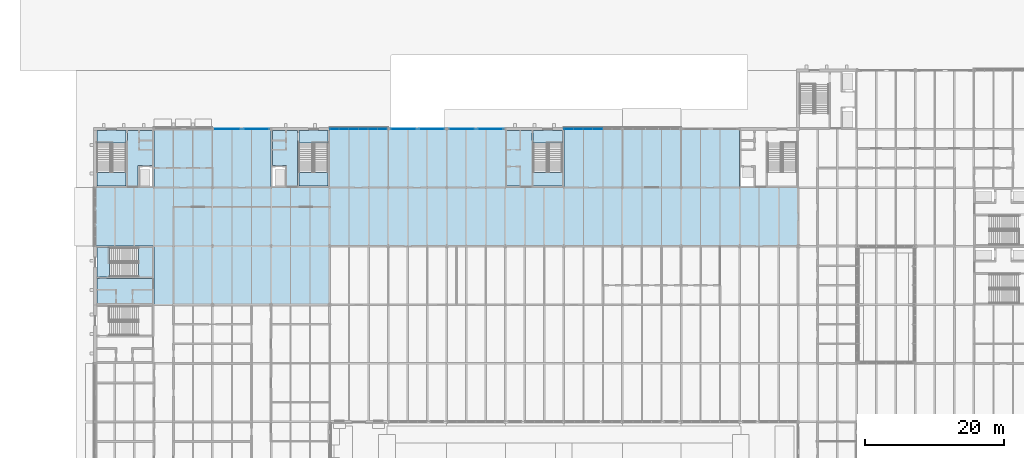
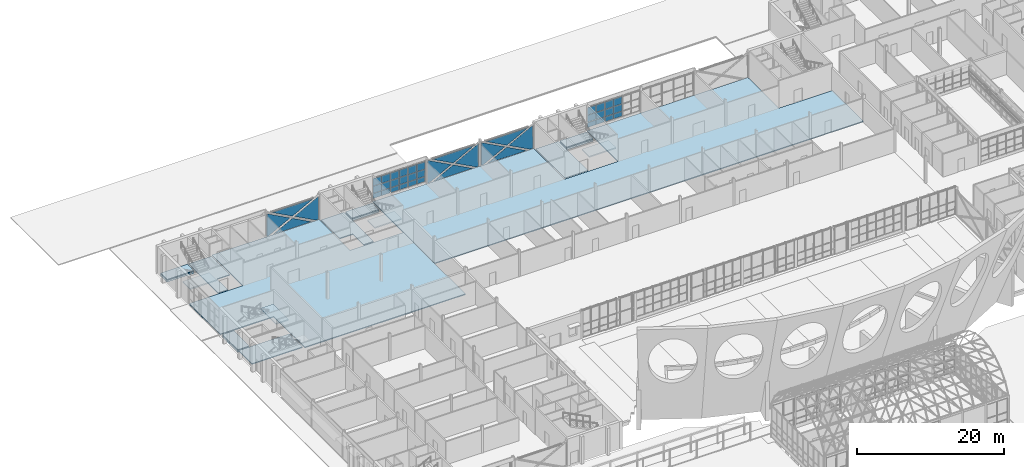
# One storey, part 78 of 116: 42 plates, 18 slabs, 9 elements without a shape of their own.
"""IFC4 building model written with IfcOpenShell, lengths in metres."""

import ifcopenshell
import ifcopenshell.guid

model = None  # the IFC model being written
_history = None  # IfcOwnerHistory: only IFC2X3 demands one
_inside = {}  # id of a spatial element -> (the spatial element, [elements in it])
_under = {}  # id of a project, library or spatial element -> (it, [spatial elements below it])
_declared = {}  # id of a project -> (the project, [libraries it declares])
_typed = {}  # id of a type object -> (the type object, [elements of that type])
_made_of = {}  # id of a material, layer set ... -> (it, [elements and type objects made of it])


def new_model(schema):
    """Start an empty IFC model of exactly this schema.

    Asked for "IFC4X3", IfcOpenShell would pick the latest addendum, in which some entities
    have other attributes; the version numbers below select the first issue.
    IFC2X3 requires an IfcOwnerHistory on every rooted entity: one is made here for all.
    """
    global model, _history
    if schema == "IFC4X3":
        model = ifcopenshell.file(schema_version=(4, 3, 0, 0))
    else:
        model = ifcopenshell.file(schema=schema)
    _inside.clear()
    _under.clear()
    _declared.clear()
    _typed.clear()
    _made_of.clear()
    _history = None
    if model.schema == "IFC2X3":
        org = make("IfcOrganization", Name="unknown")
        user = make(
            "IfcPersonAndOrganization",
            ThePerson=make("IfcPerson", FamilyName="unknown"),
            TheOrganization=org,
        )
        app = make(
            "IfcApplication",
            ApplicationDeveloper=org,
            Version="unknown",
            ApplicationFullName="unknown",
            ApplicationIdentifier="unknown",
        )
        _history = make(
            "IfcOwnerHistory",
            OwningUser=user,
            OwningApplication=app,
            ChangeAction="ADDED",
            CreationDate=0,
        )
    return model


def make(cls, **values):
    """One entity of the class cls with the attributes given. An attribute that is None is left unset."""
    return model.create_entity(
        cls, **{name: value for name, value in values.items() if value is not None}
    )


def rooted(cls, **values):
    """An entity with a GlobalId (a new one), such as an element, a storey or a relation."""
    return make(cls, GlobalId=ifcopenshell.guid.new(), OwnerHistory=_history, **values)


def si_unit(unit_type, name, prefix=None):
    """IfcSIUnit, for example si_unit("LENGTHUNIT", "METRE", prefix="MILLI")."""
    return make("IfcSIUnit", UnitType=unit_type, Prefix=prefix, Name=name)


def assignment(units):
    """IfcUnitAssignment: the units of a project."""
    return None if units is None else make("IfcUnitAssignment", Units=units)


def point(xyz):
    """IfcCartesianPoint."""
    return None if xyz is None else make("IfcCartesianPoint", Coordinates=xyz)


def direction(xyz):
    """IfcDirection."""
    return None if xyz is None else make("IfcDirection", DirectionRatios=xyz)


def frame(location, z_axis=None, x_axis=None):
    """IfcAxis2Placement3D, a coordinate frame: its origin and axes. An axis left out is left unset."""
    return make(
        "IfcAxis2Placement3D",
        Location=point(location),
        Axis=direction(z_axis),
        RefDirection=direction(x_axis),
    )


def frame_2d(location, x_axis=None):
    """IfcAxis2Placement2D, a coordinate frame in the plane: its origin and x axis."""
    return make(
        "IfcAxis2Placement2D", Location=point(location), RefDirection=direction(x_axis)
    )


def origin():
    """The frame at (0, 0, 0) with its axes left unset."""
    return frame((0.0, 0.0, 0.0))


def origin_2d():
    """The frame at (0, 0) in the plane with its x axis left unset."""
    return frame_2d((0.0, 0.0))


def place(relative_to, where):
    """IfcLocalPlacement: puts the frame where relative to a parent placement (None: the world)."""
    return make(
        "IfcLocalPlacement", PlacementRelTo=relative_to, RelativePlacement=where
    )


def context(
    kind, dimensions, precision=None, world=None, true_north=None, identifier=None
):
    """IfcGeometricRepresentationContext, for example the 3D "Model" context."""
    return make(
        "IfcGeometricRepresentationContext",
        ContextIdentifier=identifier,
        ContextType=kind,
        CoordinateSpaceDimension=dimensions,
        Precision=precision,
        WorldCoordinateSystem=world,
        TrueNorth=true_north,
    )


def subcontext(parent, identifier, kind, view, scale=None):
    """IfcGeometricRepresentationSubContext, for example "Body" below "Model"."""
    return make(
        "IfcGeometricRepresentationSubContext",
        ContextIdentifier=identifier,
        ContextType=kind,
        ParentContext=parent,
        TargetScale=scale,
        TargetView=view,
    )


def project(units=None, contexts=None):
    """IfcProject with its units and contexts."""
    return rooted(
        "IfcProject",
        Name="project",
        RepresentationContexts=contexts,
        UnitsInContext=assignment(units),
    )


def spatial(cls, under=None, at=None, **own):
    """A site, building, storey or space (cls), placed at a placement, below another one or the project."""
    s = rooted(cls, ObjectPlacement=at, **own)
    if under is not None:
        _under.setdefault(under.id(), (under, []))[1].append(s)
    return s


def polyline(points):
    """IfcPolyline through the points."""
    return make("IfcPolyline", Points=[point(p) for p in points])


def profile(cls, at=None, kind="AREA", **sizes):
    """A parametric profile (cls). Its sizes go by their IFC names, for example OverallWidth=200.0."""
    return make(cls, ProfileType=kind, Position=at, **sizes)


def rectangle(**sizes):
    """IfcRectangleProfileDef."""
    return profile("IfcRectangleProfileDef", **sizes)


def outline(outer, holes=None, kind="AREA"):
    """IfcArbitraryClosedProfileDef: a profile drawn as a closed curve; with holes, ...WithVoids."""
    if holes is None:
        return make("IfcArbitraryClosedProfileDef", ProfileType=kind, OuterCurve=outer)
    return make(
        "IfcArbitraryProfileDefWithVoids",
        ProfileType=kind,
        OuterCurve=outer,
        InnerCurves=holes,
    )


def extrude(swept, where, along, depth):
    """IfcExtrudedAreaSolid: the profile swept, set in the frame where, extruded along a direction by depth."""
    return make(
        "IfcExtrudedAreaSolid",
        SweptArea=swept,
        Position=where,
        ExtrudedDirection=direction(along),
        Depth=depth,
    )


def shape(context_of_items, identifier, shape_type, items):
    """IfcShapeRepresentation: the items that make up one representation, for example the "Body"."""
    return make(
        "IfcShapeRepresentation",
        ContextOfItems=context_of_items,
        RepresentationIdentifier=identifier,
        RepresentationType=shape_type,
        Items=items,
    )


def material(Name=None, Category=None):
    """IfcMaterial."""
    return make("IfcMaterial", Name=Name, Category=Category)


def layer(
    of_material, thickness, ventilated=None, Name=None, Category=None, Priority=None
):
    """IfcMaterialLayer: one layer of a wall or slab, of a material (None: an air gap)."""
    return make(
        "IfcMaterialLayer",
        Material=of_material,
        LayerThickness=thickness,
        IsVentilated=ventilated,
        Name=Name,
        Category=Category,
        Priority=Priority,
    )


def layer_set(layers, Name=None):
    """IfcMaterialLayerSet."""
    return make("IfcMaterialLayerSet", MaterialLayers=layers, LayerSetName=Name)


def made_of(thing, what):
    """Note that an element or type object is made of a material, layer set ...; save() writes the relation."""
    if what is not None:
        _made_of.setdefault(what.id(), (what, []))[1].append(thing)
    return thing


def type_object(cls, material=None, **own):
    """A type object (cls), such as IfcWallType, which elements share."""
    return made_of(rooted(cls, **own), material)


def element(
    cls,
    number,
    at=None,
    inside=None,
    cuts=None,
    type_object=None,
    material=None,
    context=None,
    identifier="Body",
    shape_type=None,
    held_by="IfcProductDefinitionShape",
    body=None,
    shapes=None,
    **own,
):
    """One element of the class cls, such as IfcWall. Its Tag is "e" and its number.

    at: its placement. inside: the storey or other place that contains it. cuts: it is an
    opening in that element (IfcRelVoidsElement). A single representation is given by context,
    identifier, shape_type and body (its items); several are given by shapes. held_by: the class
    of the entity that holds the representations. save() writes the other relations.
    """
    e = rooted(cls, Tag="e%d" % number, ObjectPlacement=at, **own)
    if body is not None:
        shapes = [shape(context, identifier, shape_type, body)]
    if shapes is not None:
        e.Representation = make(held_by, Representations=shapes)
    if inside is not None:
        _inside.setdefault(inside.id(), (inside, []))[1].append(e)
    if cuts is not None:
        rooted(
            "IfcRelVoidsElement", RelatingBuildingElement=cuts, RelatedOpeningElement=e
        )
    if type_object is not None:
        _typed.setdefault(type_object.id(), (type_object, []))[1].append(e)
    return made_of(e, material)


def aggregate(whole, parts):
    """IfcRelAggregates: a whole, such as a stair, and the parts it consists of."""
    return rooted("IfcRelAggregates", RelatingObject=whole, RelatedObjects=parts)


def save(model, path):
    """Write the relations noted so far, then the file.

    IfcRelAggregates (storeys below a building ...), IfcRelContainedInSpatialStructure (elements
    in a storey), IfcRelDefinesByType, IfcRelAssociatesMaterial and IfcRelDeclares: one each for
    every whole, place, type object, material and project.
    """
    for whole, parts in _under.values():
        aggregate(whole, parts)
    for where, things in _inside.values():
        rooted(
            "IfcRelContainedInSpatialStructure",
            RelatedElements=things,
            RelatingStructure=where,
        )
    for kind, things in _typed.values():
        rooted("IfcRelDefinesByType", RelatedObjects=things, RelatingType=kind)
    for what, things in _made_of.values():
        rooted("IfcRelAssociatesMaterial", RelatedObjects=things, RelatingMaterial=what)
    for by, libraries in _declared.values():
        rooted("IfcRelDeclares", RelatingContext=by, RelatedDefinitions=libraries)
    model.write(path)


model = new_model("IFC4")

# Units and contexts
model_context = context("Model", 3, precision=1e-05, world=origin(), true_north=direction((0.0, 1.0)))
body_context = subcontext(model_context, "Body", "Model", "MODEL_VIEW")
ifc_project = project(units=[si_unit("LENGTHUNIT", "METRE"), si_unit("AREAUNIT", "SQUARE_METRE"), si_unit("VOLUMEUNIT", "CUBIC_METRE"), si_unit("PLANEANGLEUNIT", "RADIAN"), si_unit("MASSUNIT", "GRAM", prefix="KILO")], contexts=[model_context])

# Site, building, storey
site_placement = place(None, origin())
site = spatial("IfcSite", under=ifc_project, at=site_placement, CompositionType="ELEMENT")
building_placement = place(site_placement, origin())
building = spatial("IfcBuilding", under=site, at=building_placement, Name="Ardhachandra Cancer Care Centre", CompositionType="ELEMENT")
storey_placement = place(building_placement, origin())
storey = spatial("IfcBuildingStorey", under=building, at=storey_placement, Name="L00", CompositionType="ELEMENT", Elevation=0.0)

# Slabs
ifc_material_1 = material(Name="Composite slab Concrete M30 on steel deck", Category="concrete")
ifc_layer_1 = layer(ifc_material_1, 0.14990234375)
ifc_layer_set_1 = layer_set([ifc_layer_1], Name="Composite slab Concrete M30 on steel deck")
slab_type_1 = type_object("IfcSlabType", Name="Composite floor slab 150", PredefinedType="FLOOR", material=ifc_layer_set_1)
slab_1_placement = place(storey_placement, frame((0.0, 0.0, -0.14990234375)))
element("IfcSlab", 1, at=slab_1_placement, inside=storey, type_object=slab_type_1, Name="Floor slab V1-strip", PredefinedType="FLOOR", context=body_context, shape_type="SweptSolid", body=[
    extrude(outline(polyline([(111.60009765625, 88.199951171875), (103.199951171875, 88.199951171875), (103.199951171875, 96.60009765625), (78.0, 96.60009765625), (78.0, 88.199951171875), (69.60009765625, 88.199951171875), (69.60009765625, 96.60009765625), (44.39990234375, 96.60009765625), (44.39990234375, 88.199951171875), (44.39990234375, 79.800048828125), (111.60009765625, 79.800048828125), (111.60009765625, 88.199951171875)])), origin(), (0.0, 0.0, 1.0), 0.14990234375),
])
slab_2_placement = place(storey_placement, frame((0.0, 0.0, -0.14990234375)))
element("IfcSlab", 2, at=slab_2_placement, inside=storey, type_object=slab_type_1, Name="Floor slab V6", PredefinedType="FLOOR", context=body_context, shape_type="SweptSolid", body=[
    extrude(outline(polyline([(44.39990234375, 88.199951171875), (36.0, 88.199951171875), (36.0, 96.60009765625), (19.199951171875, 96.60009765625), (19.199951171875, 88.199951171875), (10.800048828125, 88.199951171875), (10.800048828125, 79.800048828125), (19.199951171875, 79.800048828125), (19.199951171875, 71.39990234375), (44.39990234375, 71.39990234375), (44.39990234375, 88.199951171875)])), origin(), (0.0, 0.0, 1.0), 0.14990234375),
])
ifc_material_2 = material(Name="Concrete M40", Category="concrete")
ifc_layer_2 = layer(ifc_material_2, 0.14990234375)
ifc_layer_set_2 = layer_set([ifc_layer_2], Name="Concrete M40")
slab_type_2 = type_object("IfcSlabType", Name="Core floor slab 150", PredefinedType="FLOOR", material=ifc_layer_set_2)
slab_3_placement = place(storey_placement, frame((0.0, 0.0, -0.14990234375)))
element("IfcSlab", 3, at=slab_3_placement, inside=storey, type_object=slab_type_2, Name="Core floor slab K4 L00 1", PredefinedType="FLOOR", context=body_context, shape_type="SweptSolid", body=[
    extrude(outline(polyline([(15.22509765625, 96.375), (15.22509765625, 94.60009765625), (11.02490234375, 94.60009765625), (11.02490234375, 96.375), (15.22509765625, 96.375)])), origin(), (0.0, 0.0, 1.0), 0.14990234375),
])
slab_4_placement = place(storey_placement, frame((0.0, 0.0, -0.14990234375)))
element("IfcSlab", 4, at=slab_4_placement, inside=storey, type_object=slab_type_2, Name="Core floor slab K4 L00 2", PredefinedType="FLOOR", context=body_context, shape_type="SweptSolid", body=[
    extrude(outline(polyline([(19.0, 91.35009765625), (17.14990234375, 91.35009765625), (16.949951171875, 91.35009765625), (16.949951171875, 88.39990234375), (15.425048828125, 88.39990234375), (15.425048828125, 96.375), (19.0, 96.375), (19.0, 91.35009765625)])), origin(), (0.0, 0.0, 1.0), 0.14990234375),
])
slab_5_placement = place(storey_placement, frame((0.0, 0.0, -0.14990234375)))
element("IfcSlab", 5, at=slab_5_placement, inside=storey, type_object=slab_type_2, Name="Core floor slab K5 L00 1", PredefinedType="FLOOR", context=body_context, shape_type="SweptSolid", body=[
    extrude(outline(polyline([(44.199951171875, 94.60009765625), (40.0, 94.60009765625), (40.0, 96.375), (44.199951171875, 96.375), (44.199951171875, 94.60009765625)])), origin(), (0.0, 0.0, 1.0), 0.14990234375),
])
slab_6_placement = place(storey_placement, frame((0.0, 0.0, -0.14990234375)))
element("IfcSlab", 6, at=slab_6_placement, inside=storey, type_object=slab_type_2, Name="Core floor slab K5 L00 2", PredefinedType="FLOOR", context=body_context, shape_type="SweptSolid", body=[
    extrude(outline(polyline([(39.800048828125, 96.375), (39.800048828125, 88.39990234375), (38.25, 88.39990234375), (38.25, 91.35009765625), (38.050048828125, 91.35009765625), (36.199951171875, 91.35009765625), (36.199951171875, 96.375), (39.800048828125, 96.375)])), origin(), (0.0, 0.0, 1.0), 0.14990234375),
])
slab_7_placement = place(storey_placement, frame((0.0, 0.0, -0.14990234375)))
element("IfcSlab", 7, at=slab_7_placement, inside=storey, type_object=slab_type_2, Name="Core floor slab K6 L00 1", PredefinedType="FLOOR", context=body_context, shape_type="SweptSolid", body=[
    extrude(outline(polyline([(12.800048828125, 79.60009765625), (12.800048828125, 75.39990234375), (11.02490234375, 75.39990234375), (11.02490234375, 79.60009765625), (12.800048828125, 79.60009765625)])), origin(), (0.0, 0.0, 1.0), 0.14990234375),
])
slab_8_placement = place(storey_placement, frame((0.0, 0.0, -0.14990234375)))
element("IfcSlab", 8, at=slab_8_placement, inside=storey, type_object=slab_type_2, Name="Core floor slab K6 L00 2", PredefinedType="FLOOR", context=body_context, shape_type="SweptSolid", body=[
    extrude(outline(polyline([(11.02490234375, 75.199951171875), (19.0, 75.199951171875), (19.0, 71.60009765625), (11.02490234375, 71.60009765625), (11.02490234375, 75.199951171875)])), origin(), (0.0, 0.0, 1.0), 0.14990234375),
])
slab_9_placement = place(storey_placement, frame((0.0, 0.0, -0.14990234375)))
element("IfcSlab", 9, at=slab_9_placement, inside=storey, type_object=slab_type_2, Name="Core floor slab K8 L00 1", PredefinedType="FLOOR", context=body_context, shape_type="SweptSolid", body=[
    extrude(outline(polyline([(77.800048828125, 94.60009765625), (73.60009765625, 94.60009765625), (73.60009765625, 96.375), (77.800048828125, 96.375), (77.800048828125, 94.60009765625)])), origin(), (0.0, 0.0, 1.0), 0.14990234375),
])
slab_10_placement = place(storey_placement, frame((0.0, 0.0, -0.14990234375)))
element("IfcSlab", 10, at=slab_10_placement, inside=storey, type_object=slab_type_2, Name="Core floor slab K8 L00 2", PredefinedType="FLOOR", context=body_context, shape_type="SweptSolid", body=[
    extrude(outline(polyline([(73.39990234375, 96.375), (73.39990234375, 88.39990234375), (69.800048828125, 88.39990234375), (69.800048828125, 96.375), (73.39990234375, 96.375)])), origin(), (0.0, 0.0, 1.0), 0.14990234375),
])
ifc_material_3 = material(Name="Concrete M40", Category="concrete")
ifc_layer_3 = layer(ifc_material_3, 0.300048828125)
ifc_layer_set_3 = layer_set([ifc_layer_3], Name="Concrete M40")
slab_type_3 = type_object("IfcSlabType", Name="Core stair edge slab 300", PredefinedType="FLOOR", material=ifc_layer_set_3)
slab_11_placement = place(storey_placement, frame((0.0, 0.0, -0.449951171875)))
element("IfcSlab", 11, at=slab_11_placement, inside=storey, type_object=slab_type_3, Name="Core stair edge slab K4 L00", PredefinedType="FLOOR", context=body_context, shape_type="SweptSolid", body=[
    extrude(outline(polyline([(11.02490234375, 96.375), (15.22509765625, 96.375), (15.22509765625, 94.60009765625), (11.02490234375, 94.60009765625), (11.02490234375, 96.375)])), origin(), (0.0, 0.0, 1.0), 0.300048828125),
])
slab_12_placement = place(storey_placement, frame((0.0, 0.0, -0.449951171875)))
element("IfcSlab", 12, at=slab_12_placement, inside=storey, type_object=slab_type_3, Name="Core stair edge slab K5 L00", PredefinedType="FLOOR", context=body_context, shape_type="SweptSolid", body=[
    extrude(outline(polyline([(40.0, 94.60009765625), (40.0, 96.375), (44.199951171875, 96.375), (44.199951171875, 94.60009765625), (40.0, 94.60009765625)])), origin(), (0.0, 0.0, 1.0), 0.300048828125),
])
slab_13_placement = place(storey_placement, frame((0.0, 0.0, -0.449951171875)))
element("IfcSlab", 13, at=slab_13_placement, inside=storey, type_object=slab_type_3, Name="Core stair edge slab K6 L00", PredefinedType="FLOOR", context=body_context, shape_type="SweptSolid", body=[
    extrude(outline(polyline([(12.800048828125, 75.39990234375), (11.02490234375, 75.39990234375), (11.02490234375, 79.60009765625), (12.800048828125, 79.60009765625), (12.800048828125, 75.39990234375)])), origin(), (0.0, 0.0, 1.0), 0.300048828125),
])
slab_14_placement = place(storey_placement, frame((0.0, 0.0, -0.449951171875)))
element("IfcSlab", 14, at=slab_14_placement, inside=storey, type_object=slab_type_3, Name="Core stair edge slab K8 L00", PredefinedType="FLOOR", context=body_context, shape_type="SweptSolid", body=[
    extrude(outline(polyline([(73.60009765625, 94.60009765625), (73.60009765625, 96.375), (77.800048828125, 96.375), (77.800048828125, 94.60009765625), (73.60009765625, 94.60009765625)])), origin(), (0.0, 0.0, 1.0), 0.300048828125),
])

# Curtain wall, plates
ifc_material_4 = material(Name="Aluminium extrusion", Category="aluminium")
ifc_layer_4 = layer(ifc_material_4, 0.14990234375)
ifc_layer_set_4 = layer_set([ifc_layer_4], Name="Aluminium extrusion")
curtain_wall_type = type_object("IfcCurtainWallType", Name="Curtain wall run", PredefinedType="NOTDEFINED", material=ifc_layer_set_4)
curtain_wall_1_placement = place(storey_placement, origin())
curtain_wall_1 = element("IfcCurtainWall", 15, at=curtain_wall_1_placement, inside=storey, type_object=curtain_wall_type, Name="Curtain wall L00 n/0027600_0096600", PredefinedType="NOTDEFINED")
ifc_material_5 = material(Name="Low-iron double-glazed unit")
ifc_layer_5 = layer(ifc_material_5, 0.028076171875)
ifc_layer_set_5 = layer_set([ifc_layer_5], Name="Low-iron double-glazed unit")
plate_type_1 = type_object("IfcPlateType", Name="Curtain wall glazing 28", PredefinedType="CURTAIN_PANEL", material=ifc_layer_set_5)
plate_1_placement = place(storey_placement, frame((35.93994140625, 96.60009765625, 3.7900390625), z_axis=(0.0, 1.0, 0.0), x_axis=(0.0, 0.0, -1.0)))
plate_1 = element("IfcPlate", 16, at=plate_1_placement, type_object=plate_type_1, Name="CW panel 1.1", PredefinedType="CURTAIN_PANEL", context=body_context, shape_type="SweptSolid", body=[
    extrude(outline(polyline([(0.0, 0.0), (3.72998046875, 0.0), (3.72998046875, 0.45361328125), (1.93994140625, 3.794921875), (0.0, 0.173583984375), (0.0, 0.0)])), origin(), (0.0, 0.0, 1.0), 0.028076171875),
])
plate_2_placement = place(storey_placement, frame((35.076171875, 96.60009765625, 3.7900390625), z_axis=(0.0, 1.0, 0.0), x_axis=(-0.881473134172, 0.0, -0.472234172559)))
plate_2 = element("IfcPlate", 17, at=plate_2_placement, type_object=plate_type_1, Name="CW panel 1.1", PredefinedType="CURTAIN_PANEL", context=body_context, shape_type="SweptSolid", body=[
    extrude(outline(polyline([(0.0, 0.0), (3.716552734375, 0.0), (5.77587890625, 3.09423828125), (0.0, 0.0)])), frame((0.0, 0.0, -0.028076171875)), (0.0, 0.0, 1.0), 0.028076171875),
])
plate_3_placement = place(storey_placement, frame((27.81005859375, 96.60009765625, 0.06005859375), z_axis=(0.0, 1.0, 0.0), x_axis=(0.0, 0.0, 1.0)))
plate_3 = element("IfcPlate", 18, at=plate_3_placement, type_object=plate_type_1, Name="CW panel 1.1", PredefinedType="CURTAIN_PANEL", context=body_context, shape_type="SweptSolid", body=[
    extrude(outline(polyline([(0.0, 0.0), (3.72998046875, 0.0), (3.72998046875, 0.0234375), (1.7900390625, 3.644775390625), (0.0, 0.303466796875), (0.0, 0.0)])), origin(), (0.0, 0.0, 1.0), 0.028076171875),
])
plate_4_placement = place(storey_placement, frame((28.8037109375, 96.60009765625, 0.06005859375), z_axis=(0.0, 1.0, 0.0), x_axis=(0.881504527331, 0.0, 0.472175569354)))
plate_4 = element("IfcPlate", 19, at=plate_4_placement, type_object=plate_type_1, Name="CW panel 1.1", PredefinedType="CURTAIN_PANEL", context=body_context, shape_type="SweptSolid", body=[
    extrude(outline(polyline([(0.0, 0.0), (3.399169921875, 0.0), (5.282470703125, 2.82958984375), (0.0, 0.0)])), frame((0.0, 0.0, -0.028076171875)), (0.0, 0.0, 1.0), 0.028076171875),
])
aggregate(curtain_wall_1, [plate_1, plate_2, plate_3, plate_4])

curtain_wall_2_placement = place(storey_placement, origin())
curtain_wall_2 = element("IfcCurtainWall", 20, at=curtain_wall_2_placement, inside=storey, type_object=curtain_wall_type, Name="Curtain wall L00 n/0044400_0096600", PredefinedType="NOTDEFINED")
plate_5_placement = place(storey_placement, frame((45.1025390625, 96.60009765625, 1.3798828125), z_axis=(0.0, 0.0, 1.0), x_axis=(1.0, 0.0, 0.0)))
plate_5 = element("IfcPlate", 21, at=plate_5_placement, type_object=plate_type_1, Name="CW panel 1.2", PredefinedType="CURTAIN_PANEL", context=body_context, shape_type="SweptSolid", body=[
    extrude(rectangle(XDim=1.284912109375, YDim=0.028076171875, at=origin_2d()), origin(), (0.0, 0.0, 1.0), 1.139892578125),
])
plate_6_placement = place(storey_placement, frame((45.1025390625, 96.60009765625, 2.580078125), z_axis=(0.0, 0.0, 1.0), x_axis=(1.0, 0.0, 0.0)))
plate_6 = element("IfcPlate", 22, at=plate_6_placement, type_object=plate_type_1, Name="CW panel 1.3", PredefinedType="CURTAIN_PANEL", context=body_context, shape_type="SweptSolid", body=[
    extrude(rectangle(XDim=1.284912109375, YDim=0.028076171875, at=origin_2d()), origin(), (0.0, 0.0, 1.0), 1.2099609375),
])
plate_7_placement = place(storey_placement, frame((46.46240234375, 96.60009765625, 1.3798828125), z_axis=(0.0, 0.0, 1.0), x_axis=(1.0, 0.0, 0.0)))
plate_7 = element("IfcPlate", 23, at=plate_7_placement, type_object=plate_type_1, Name="CW panel 2.2", PredefinedType="CURTAIN_PANEL", context=body_context, shape_type="SweptSolid", body=[
    extrude(rectangle(XDim=1.31494140625, YDim=0.028076171875, at=origin_2d()), origin(), (0.0, 0.0, 1.0), 1.139892578125),
])
plate_8_placement = place(storey_placement, frame((46.46240234375, 96.60009765625, 2.580078125), z_axis=(0.0, 0.0, 1.0), x_axis=(1.0, 0.0, 0.0)))
plate_8 = element("IfcPlate", 24, at=plate_8_placement, type_object=plate_type_1, Name="CW panel 2.3", PredefinedType="CURTAIN_PANEL", context=body_context, shape_type="SweptSolid", body=[
    extrude(rectangle(XDim=1.31494140625, YDim=0.028076171875, at=origin_2d()), origin(), (0.0, 0.0, 1.0), 1.2099609375),
])
plate_9_placement = place(storey_placement, frame((47.83740234375, 96.60009765625, 1.3798828125), z_axis=(0.0, 0.0, 1.0), x_axis=(1.0, 0.0, 0.0)))
plate_9 = element("IfcPlate", 25, at=plate_9_placement, type_object=plate_type_1, Name="CW panel 3.2", PredefinedType="CURTAIN_PANEL", context=body_context, shape_type="SweptSolid", body=[
    extrude(rectangle(XDim=1.31494140625, YDim=0.028076171875, at=origin_2d()), origin(), (0.0, 0.0, 1.0), 1.139892578125),
])
plate_10_placement = place(storey_placement, frame((47.83740234375, 96.60009765625, 2.580078125), z_axis=(0.0, 0.0, 1.0), x_axis=(1.0, 0.0, 0.0)))
plate_10 = element("IfcPlate", 26, at=plate_10_placement, type_object=plate_type_1, Name="CW panel 3.3", PredefinedType="CURTAIN_PANEL", context=body_context, shape_type="SweptSolid", body=[
    extrude(rectangle(XDim=1.31494140625, YDim=0.028076171875, at=origin_2d()), origin(), (0.0, 0.0, 1.0), 1.2099609375),
])
plate_11_placement = place(storey_placement, frame((49.21240234375, 96.60009765625, 1.3798828125), z_axis=(0.0, 0.0, 1.0), x_axis=(1.0, 0.0, 0.0)))
plate_11 = element("IfcPlate", 27, at=plate_11_placement, type_object=plate_type_1, Name="CW panel 4.2", PredefinedType="CURTAIN_PANEL", context=body_context, shape_type="SweptSolid", body=[
    extrude(rectangle(XDim=1.31494140625, YDim=0.028076171875, at=origin_2d()), origin(), (0.0, 0.0, 1.0), 1.139892578125),
])
plate_12_placement = place(storey_placement, frame((49.21240234375, 96.60009765625, 2.580078125), z_axis=(0.0, 0.0, 1.0), x_axis=(1.0, 0.0, 0.0)))
plate_12 = element("IfcPlate", 28, at=plate_12_placement, type_object=plate_type_1, Name="CW panel 4.3", PredefinedType="CURTAIN_PANEL", context=body_context, shape_type="SweptSolid", body=[
    extrude(rectangle(XDim=1.31494140625, YDim=0.028076171875, at=origin_2d()), origin(), (0.0, 0.0, 1.0), 1.2099609375),
])
plate_13_placement = place(storey_placement, frame((50.58740234375, 96.60009765625, 1.3798828125), z_axis=(0.0, 0.0, 1.0), x_axis=(1.0, 0.0, 0.0)))
plate_13 = element("IfcPlate", 29, at=plate_13_placement, type_object=plate_type_1, Name="CW panel 5.2", PredefinedType="CURTAIN_PANEL", context=body_context, shape_type="SweptSolid", body=[
    extrude(rectangle(XDim=1.31494140625, YDim=0.028076171875, at=origin_2d()), origin(), (0.0, 0.0, 1.0), 1.139892578125),
])
plate_14_placement = place(storey_placement, frame((50.58740234375, 96.60009765625, 2.580078125), z_axis=(0.0, 0.0, 1.0), x_axis=(1.0, 0.0, 0.0)))
plate_14 = element("IfcPlate", 30, at=plate_14_placement, type_object=plate_type_1, Name="CW panel 5.3", PredefinedType="CURTAIN_PANEL", context=body_context, shape_type="SweptSolid", body=[
    extrude(rectangle(XDim=1.31494140625, YDim=0.028076171875, at=origin_2d()), origin(), (0.0, 0.0, 1.0), 1.2099609375),
])
plate_15_placement = place(storey_placement, frame((51.947509765625, 96.60009765625, 1.3798828125), z_axis=(0.0, 0.0, 1.0), x_axis=(1.0, 0.0, 0.0)))
plate_15 = element("IfcPlate", 31, at=plate_15_placement, type_object=plate_type_1, Name="CW panel 6.2", PredefinedType="CURTAIN_PANEL", context=body_context, shape_type="SweptSolid", body=[
    extrude(rectangle(XDim=1.284912109375, YDim=0.028076171875, at=origin_2d()), origin(), (0.0, 0.0, 1.0), 1.139892578125),
])
plate_16_placement = place(storey_placement, frame((51.947509765625, 96.60009765625, 2.580078125), z_axis=(0.0, 0.0, 1.0), x_axis=(1.0, 0.0, 0.0)))
plate_16 = element("IfcPlate", 32, at=plate_16_placement, type_object=plate_type_1, Name="CW panel 6.3", PredefinedType="CURTAIN_PANEL", context=body_context, shape_type="SweptSolid", body=[
    extrude(rectangle(XDim=1.284912109375, YDim=0.028076171875, at=origin_2d()), origin(), (0.0, 0.0, 1.0), 1.2099609375),
])

curtain_wall_3_placement = place(storey_placement, origin())
curtain_wall_3 = element("IfcCurtainWall", 33, at=curtain_wall_3_placement, inside=storey, type_object=curtain_wall_type, Name="Curtain wall L00 n/0052800_0096600", PredefinedType="NOTDEFINED")
plate_17_placement = place(storey_placement, frame((60.989990234375, 96.60009765625, 3.7900390625), z_axis=(0.0, 1.0, 0.0), x_axis=(0.0, 0.0, -1.0)))
plate_17 = element("IfcPlate", 34, at=plate_17_placement, type_object=plate_type_1, Name="CW panel 1.1", PredefinedType="CURTAIN_PANEL", context=body_context, shape_type="SweptSolid", body=[
    extrude(outline(polyline([(0.0, 0.0), (3.72998046875, 0.0), (3.72998046875, 0.357421875), (1.93994140625, 3.69873046875), (0.0, 0.077392578125), (0.0, 0.0)])), origin(), (0.0, 0.0, 1.0), 0.028076171875),
])
plate_18_placement = place(storey_placement, frame((60.330078125, 96.60009765625, 3.7900390625), z_axis=(0.0, 1.0, 0.0), x_axis=(-0.881483812908, 0.0, -0.47221423907)))
plate_18 = element("IfcPlate", 35, at=plate_18_placement, type_object=plate_type_1, Name="CW panel 1.1", PredefinedType="CURTAIN_PANEL", context=body_context, shape_type="SweptSolid", body=[
    extrude(outline(polyline([(0.0, 0.0), (3.77783203125, 0.0), (5.870849609375, 3.14501953125), (0.0, 0.0)])), frame((0.0, 0.0, -0.028076171875)), (0.0, 0.0, 1.0), 0.028076171875),
])
plate_19_placement = place(storey_placement, frame((53.010009765625, 96.60009765625, 0.06005859375), z_axis=(0.0, 1.0, 0.0), x_axis=(0.0, 0.0, 1.0)))
plate_19 = element("IfcPlate", 36, at=plate_19_placement, type_object=plate_type_1, Name="CW panel 1.1", PredefinedType="CURTAIN_PANEL", context=body_context, shape_type="SweptSolid", body=[
    extrude(outline(polyline([(0.0, 0.0), (3.72998046875, 0.0), (3.72998046875, 0.077392578125), (1.7900390625, 3.69873046875), (0.0, 0.357421875), (0.0, 0.0)])), origin(), (0.0, 0.0, 1.0), 0.028076171875),
])
plate_20_placement = place(storey_placement, frame((53.949951171875, 96.60009765625, 0.06005859375), z_axis=(0.0, 1.0, 0.0), x_axis=(0.881470529599, 0.0, 0.472239034228)))
plate_20 = element("IfcPlate", 37, at=plate_20_placement, type_object=plate_type_1, Name="CW panel 1.1", PredefinedType="CURTAIN_PANEL", context=body_context, shape_type="SweptSolid", body=[
    extrude(outline(polyline([(0.0, 0.0), (3.460205078125, 0.0), (5.376953125, 2.880615234375), (0.0, 0.0)])), frame((0.0, 0.0, -0.028076171875)), (0.0, 0.0, 1.0), 0.028076171875),
])
aggregate(curtain_wall_3, [plate_17, plate_18, plate_19, plate_20])

curtain_wall_4_placement = place(storey_placement, origin())
curtain_wall_4 = element("IfcCurtainWall", 38, at=curtain_wall_4_placement, inside=storey, type_object=curtain_wall_type, Name="Curtain wall L00 n/0061200_0096600", PredefinedType="NOTDEFINED")
plate_21_placement = place(storey_placement, frame((69.5400390625, 96.60009765625, 3.7900390625), z_axis=(0.0, 1.0, 0.0), x_axis=(0.0, 0.0, -1.0)))
plate_21 = element("IfcPlate", 39, at=plate_21_placement, type_object=plate_type_1, Name="CW panel 1.1", PredefinedType="CURTAIN_PANEL", context=body_context, shape_type="SweptSolid", body=[
    extrude(outline(polyline([(0.0, 0.0), (3.72998046875, 0.0), (3.72998046875, 0.507568359375), (1.93994140625, 3.848876953125), (0.0, 0.2275390625), (0.0, 0.0)])), origin(), (0.0, 0.0, 1.0), 0.028076171875),
])
plate_22_placement = place(storey_placement, frame((68.730224609375, 96.60009765625, 3.7900390625), z_axis=(0.0, 1.0, 0.0), x_axis=(-0.881498222146, 0.0, -0.472187340314)))
plate_22 = element("IfcPlate", 40, at=plate_22_placement, type_object=plate_type_1, Name="CW panel 1.1", PredefinedType="CURTAIN_PANEL", context=body_context, shape_type="SweptSolid", body=[
    extrude(outline(polyline([(0.0, 0.0), (3.778076171875, 0.0), (5.87109375, 3.14501953125), (0.0, 0.0)])), frame((0.0, 0.0, -0.028076171875)), (0.0, 0.0, 1.0), 0.028076171875),
])
plate_23_placement = place(storey_placement, frame((61.409912109375, 96.60009765625, 0.06005859375), z_axis=(0.0, 1.0, 0.0), x_axis=(0.0, 0.0, 1.0)))
plate_23 = element("IfcPlate", 41, at=plate_23_placement, type_object=plate_type_1, Name="CW panel 1.1", PredefinedType="CURTAIN_PANEL", context=body_context, shape_type="SweptSolid", body=[
    extrude(outline(polyline([(0.0, 0.0), (3.72998046875, 0.0), (3.72998046875, 0.07763671875), (1.7900390625, 3.698974609375), (0.0, 0.357666015625), (0.0, 0.0)])), origin(), (0.0, 0.0, 1.0), 0.028076171875),
])
plate_24_placement = place(storey_placement, frame((62.349853515625, 96.60009765625, 0.06005859375), z_axis=(0.0, 1.0, 0.0), x_axis=(0.881470529599, 0.0, 0.472239034228)))
plate_24 = element("IfcPlate", 42, at=plate_24_placement, type_object=plate_type_1, Name="CW panel 1.1", PredefinedType="CURTAIN_PANEL", context=body_context, shape_type="SweptSolid", body=[
    extrude(outline(polyline([(0.0, 0.0), (3.460205078125, 0.0), (5.377197265625, 2.880859375), (0.0, 0.0)])), frame((0.0, 0.0, -0.028076171875)), (0.0, 0.0, 1.0), 0.028076171875),
])
aggregate(curtain_wall_4, [plate_21, plate_22, plate_23, plate_24])

curtain_wall_5_placement = place(storey_placement, origin())
curtain_wall_5 = element("IfcCurtainWall", 43, at=curtain_wall_5_placement, inside=storey, type_object=curtain_wall_type, Name="Curtain wall L00 n/0078000_0096600", PredefinedType="NOTDEFINED")
plate_25_placement = place(storey_placement, frame((78.702392578125, 96.60009765625, 1.3798828125), z_axis=(0.0, 0.0, 1.0), x_axis=(1.0, 0.0, 0.0)))
plate_25 = element("IfcPlate", 44, at=plate_25_placement, type_object=plate_type_1, Name="CW panel 1.2", PredefinedType="CURTAIN_PANEL", context=body_context, shape_type="SweptSolid", body=[
    extrude(rectangle(XDim=1.284912109375, YDim=0.028076171875, at=origin_2d()), origin(), (0.0, 0.0, 1.0), 1.139892578125),
])
plate_26_placement = place(storey_placement, frame((78.702392578125, 96.60009765625, 2.580078125), z_axis=(0.0, 0.0, 1.0), x_axis=(1.0, 0.0, 0.0)))
plate_26 = element("IfcPlate", 45, at=plate_26_placement, type_object=plate_type_1, Name="CW panel 1.3", PredefinedType="CURTAIN_PANEL", context=body_context, shape_type="SweptSolid", body=[
    extrude(rectangle(XDim=1.284912109375, YDim=0.028076171875, at=origin_2d()), origin(), (0.0, 0.0, 1.0), 1.2099609375),
])
plate_27_placement = place(storey_placement, frame((80.0625, 96.60009765625, 1.3798828125), z_axis=(0.0, 0.0, 1.0), x_axis=(1.0, 0.0, 0.0)))
plate_27 = element("IfcPlate", 46, at=plate_27_placement, type_object=plate_type_1, Name="CW panel 2.2", PredefinedType="CURTAIN_PANEL", context=body_context, shape_type="SweptSolid", body=[
    extrude(rectangle(XDim=1.31494140625, YDim=0.028076171875, at=origin_2d()), origin(), (0.0, 0.0, 1.0), 1.139892578125),
])
plate_28_placement = place(storey_placement, frame((80.0625, 96.60009765625, 2.580078125), z_axis=(0.0, 0.0, 1.0), x_axis=(1.0, 0.0, 0.0)))
plate_28 = element("IfcPlate", 47, at=plate_28_placement, type_object=plate_type_1, Name="CW panel 2.3", PredefinedType="CURTAIN_PANEL", context=body_context, shape_type="SweptSolid", body=[
    extrude(rectangle(XDim=1.31494140625, YDim=0.028076171875, at=origin_2d()), origin(), (0.0, 0.0, 1.0), 1.2099609375),
])
plate_29_placement = place(storey_placement, frame((81.4375, 96.60009765625, 1.3798828125), z_axis=(0.0, 0.0, 1.0), x_axis=(1.0, 0.0, 0.0)))
plate_29 = element("IfcPlate", 48, at=plate_29_placement, type_object=plate_type_1, Name="CW panel 3.2", PredefinedType="CURTAIN_PANEL", context=body_context, shape_type="SweptSolid", body=[
    extrude(rectangle(XDim=1.31494140625, YDim=0.028076171875, at=origin_2d()), origin(), (0.0, 0.0, 1.0), 1.139892578125),
])
plate_30_placement = place(storey_placement, frame((81.4375, 96.60009765625, 2.580078125), z_axis=(0.0, 0.0, 1.0), x_axis=(1.0, 0.0, 0.0)))
plate_30 = element("IfcPlate", 49, at=plate_30_placement, type_object=plate_type_1, Name="CW panel 3.3", PredefinedType="CURTAIN_PANEL", context=body_context, shape_type="SweptSolid", body=[
    extrude(rectangle(XDim=1.31494140625, YDim=0.028076171875, at=origin_2d()), origin(), (0.0, 0.0, 1.0), 1.2099609375),
])
plate_31_placement = place(storey_placement, frame((82.8125, 96.60009765625, 1.3798828125), z_axis=(0.0, 0.0, 1.0), x_axis=(1.0, 0.0, 0.0)))
plate_31 = element("IfcPlate", 50, at=plate_31_placement, type_object=plate_type_1, Name="CW panel 4.2", PredefinedType="CURTAIN_PANEL", context=body_context, shape_type="SweptSolid", body=[
    extrude(rectangle(XDim=1.31494140625, YDim=0.028076171875, at=origin_2d()), origin(), (0.0, 0.0, 1.0), 1.139892578125),
])
plate_32_placement = place(storey_placement, frame((82.8125, 96.60009765625, 2.580078125), z_axis=(0.0, 0.0, 1.0), x_axis=(1.0, 0.0, 0.0)))
plate_32 = element("IfcPlate", 51, at=plate_32_placement, type_object=plate_type_1, Name="CW panel 4.3", PredefinedType="CURTAIN_PANEL", context=body_context, shape_type="SweptSolid", body=[
    extrude(rectangle(XDim=1.31494140625, YDim=0.028076171875, at=origin_2d()), origin(), (0.0, 0.0, 1.0), 1.2099609375),
])

# Plate
ifc_material_6 = material(Name="Aluminium composite spandrel panel", Category="aluminium")
ifc_layer_6 = layer(ifc_material_6, 0.028076171875)
ifc_layer_set_6 = layer_set([ifc_layer_6], Name="Aluminium composite spandrel panel")
plate_type_2 = type_object("IfcPlateType", Name="Curtain wall spandrel panel 28", PredefinedType="CURTAIN_PANEL", material=ifc_layer_set_6)
plate_33_placement = place(storey_placement, frame((45.1025390625, 96.60009765625, 0.510009765625), z_axis=(0.0, 0.0, 1.0), x_axis=(1.0, 0.0, 0.0)))
plate_33 = element("IfcPlate", 52, at=plate_33_placement, type_object=plate_type_2, Name="CW panel 1.1", PredefinedType="CURTAIN_PANEL", context=body_context, shape_type="SweptSolid", body=[
    extrude(rectangle(XDim=1.284912109375, YDim=0.028076171875, at=origin_2d()), origin(), (0.0, 0.0, 1.0), 0.81005859375),
])

plate_34_placement = place(storey_placement, frame((46.46240234375, 96.60009765625, 0.510009765625), z_axis=(0.0, 0.0, 1.0), x_axis=(1.0, 0.0, 0.0)))
plate_34 = element("IfcPlate", 53, at=plate_34_placement, type_object=plate_type_2, Name="CW panel 2.1", PredefinedType="CURTAIN_PANEL", context=body_context, shape_type="SweptSolid", body=[
    extrude(rectangle(XDim=1.31494140625, YDim=0.028076171875, at=origin_2d()), origin(), (0.0, 0.0, 1.0), 0.81005859375),
])

plate_35_placement = place(storey_placement, frame((47.83740234375, 96.60009765625, 0.510009765625), z_axis=(0.0, 0.0, 1.0), x_axis=(1.0, 0.0, 0.0)))
plate_35 = element("IfcPlate", 54, at=plate_35_placement, type_object=plate_type_2, Name="CW panel 3.1", PredefinedType="CURTAIN_PANEL", context=body_context, shape_type="SweptSolid", body=[
    extrude(rectangle(XDim=1.31494140625, YDim=0.028076171875, at=origin_2d()), origin(), (0.0, 0.0, 1.0), 0.81005859375),
])

plate_36_placement = place(storey_placement, frame((49.21240234375, 96.60009765625, 0.510009765625), z_axis=(0.0, 0.0, 1.0), x_axis=(1.0, 0.0, 0.0)))
plate_36 = element("IfcPlate", 55, at=plate_36_placement, type_object=plate_type_2, Name="CW panel 4.1", PredefinedType="CURTAIN_PANEL", context=body_context, shape_type="SweptSolid", body=[
    extrude(rectangle(XDim=1.31494140625, YDim=0.028076171875, at=origin_2d()), origin(), (0.0, 0.0, 1.0), 0.81005859375),
])

plate_37_placement = place(storey_placement, frame((50.58740234375, 96.60009765625, 0.510009765625), z_axis=(0.0, 0.0, 1.0), x_axis=(1.0, 0.0, 0.0)))
plate_37 = element("IfcPlate", 56, at=plate_37_placement, type_object=plate_type_2, Name="CW panel 5.1", PredefinedType="CURTAIN_PANEL", context=body_context, shape_type="SweptSolid", body=[
    extrude(rectangle(XDim=1.31494140625, YDim=0.028076171875, at=origin_2d()), origin(), (0.0, 0.0, 1.0), 0.81005859375),
])

plate_38_placement = place(storey_placement, frame((51.947509765625, 96.60009765625, 0.510009765625), z_axis=(0.0, 0.0, 1.0), x_axis=(1.0, 0.0, 0.0)))
plate_38 = element("IfcPlate", 57, at=plate_38_placement, type_object=plate_type_2, Name="CW panel 6.1", PredefinedType="CURTAIN_PANEL", context=body_context, shape_type="SweptSolid", body=[
    extrude(rectangle(XDim=1.284912109375, YDim=0.028076171875, at=origin_2d()), origin(), (0.0, 0.0, 1.0), 0.81005859375),
])

aggregate(curtain_wall_2, [plate_33, plate_5, plate_6, plate_34, plate_7, plate_8, plate_35, plate_9, plate_10, plate_36, plate_11, plate_12, plate_37, plate_13, plate_14, plate_38, plate_15, plate_16])

plate_39_placement = place(storey_placement, frame((78.702392578125, 96.60009765625, 0.510009765625), z_axis=(0.0, 0.0, 1.0), x_axis=(1.0, 0.0, 0.0)))
plate_39 = element("IfcPlate", 58, at=plate_39_placement, type_object=plate_type_2, Name="CW panel 1.1", PredefinedType="CURTAIN_PANEL", context=body_context, shape_type="SweptSolid", body=[
    extrude(rectangle(XDim=1.284912109375, YDim=0.028076171875, at=origin_2d()), origin(), (0.0, 0.0, 1.0), 0.81005859375),
])

plate_40_placement = place(storey_placement, frame((80.0625, 96.60009765625, 0.510009765625), z_axis=(0.0, 0.0, 1.0), x_axis=(1.0, 0.0, 0.0)))
plate_40 = element("IfcPlate", 59, at=plate_40_placement, type_object=plate_type_2, Name="CW panel 2.1", PredefinedType="CURTAIN_PANEL", context=body_context, shape_type="SweptSolid", body=[
    extrude(rectangle(XDim=1.31494140625, YDim=0.028076171875, at=origin_2d()), origin(), (0.0, 0.0, 1.0), 0.81005859375),
])

plate_41_placement = place(storey_placement, frame((81.4375, 96.60009765625, 0.510009765625), z_axis=(0.0, 0.0, 1.0), x_axis=(1.0, 0.0, 0.0)))
plate_41 = element("IfcPlate", 60, at=plate_41_placement, type_object=plate_type_2, Name="CW panel 3.1", PredefinedType="CURTAIN_PANEL", context=body_context, shape_type="SweptSolid", body=[
    extrude(rectangle(XDim=1.31494140625, YDim=0.028076171875, at=origin_2d()), origin(), (0.0, 0.0, 1.0), 0.81005859375),
])

plate_42_placement = place(storey_placement, frame((82.8125, 96.60009765625, 0.510009765625), z_axis=(0.0, 0.0, 1.0), x_axis=(1.0, 0.0, 0.0)))
plate_42 = element("IfcPlate", 61, at=plate_42_placement, type_object=plate_type_2, Name="CW panel 4.1", PredefinedType="CURTAIN_PANEL", context=body_context, shape_type="SweptSolid", body=[
    extrude(rectangle(XDim=1.31494140625, YDim=0.028076171875, at=origin_2d()), origin(), (0.0, 0.0, 1.0), 0.81005859375),
])

aggregate(curtain_wall_5, [plate_39, plate_25, plate_26, plate_40, plate_27, plate_28, plate_41, plate_29, plate_30, plate_42, plate_31, plate_32])

# Stair, slab
ifc_material_7 = material(Name="Concrete M40", Category="concrete")
stair_type = type_object("IfcStairType", Name="Dog-leg stair 2000", PredefinedType="HALF_TURN_STAIR", material=ifc_material_7)
stair_1_placement = place(storey_placement, origin())
stair_1 = element("IfcStair", 62, at=stair_1_placement, inside=storey, type_object=stair_type, Name="Stair K4 L00-L01", PredefinedType="HALF_TURN_STAIR")
ifc_material_8 = material(Name="Concrete M40", Category="concrete")
ifc_layer_7 = layer(ifc_material_8, 0.199951171875)
ifc_layer_set_7 = layer_set([ifc_layer_7], Name="Concrete M40")
slab_type_4 = type_object("IfcSlabType", Name="Stair landing 200", PredefinedType="LANDING", material=ifc_layer_set_7)
slab_15_placement = place(storey_placement, frame((0.0, 0.0, 2.050048828125)))
slab_15 = element("IfcSlab", 63, at=slab_15_placement, type_object=slab_type_4, Name="stair K4 L00-L01 landing 1", PredefinedType="LANDING", context=body_context, shape_type="SweptSolid", body=[
    extrude(outline(polyline([(11.02490234375, 88.39990234375), (15.22509765625, 88.39990234375), (15.22509765625, 90.39990234375), (11.02490234375, 90.39990234375), (11.02490234375, 88.39990234375)])), origin(), (0.0, 0.0, 1.0), 0.199951171875),
])
aggregate(stair_1, [slab_15])

stair_2_placement = place(storey_placement, origin())
stair_2 = element("IfcStair", 64, at=stair_2_placement, inside=storey, type_object=stair_type, Name="Stair K5 L00-L01", PredefinedType="HALF_TURN_STAIR")
slab_16_placement = place(storey_placement, frame((0.0, 0.0, 2.050048828125)))
slab_16 = element("IfcSlab", 65, at=slab_16_placement, type_object=slab_type_4, Name="stair K5 L00-L01 landing 1", PredefinedType="LANDING", context=body_context, shape_type="SweptSolid", body=[
    extrude(outline(polyline([(40.0, 88.39990234375), (44.199951171875, 88.39990234375), (44.199951171875, 90.39990234375), (40.0, 90.39990234375), (40.0, 88.39990234375)])), origin(), (0.0, 0.0, 1.0), 0.199951171875),
])
aggregate(stair_2, [slab_16])

stair_3_placement = place(storey_placement, origin())
stair_3 = element("IfcStair", 66, at=stair_3_placement, inside=storey, type_object=stair_type, Name="Stair K6 L00-L01", PredefinedType="HALF_TURN_STAIR")
slab_17_placement = place(storey_placement, frame((0.0, 0.0, 2.050048828125)))
slab_17 = element("IfcSlab", 67, at=slab_17_placement, type_object=slab_type_4, Name="stair K6 L00-L01 landing 1", PredefinedType="LANDING", context=body_context, shape_type="SweptSolid", body=[
    extrude(outline(polyline([(17.0, 75.39990234375), (19.0, 75.39990234375), (19.0, 79.60009765625), (17.0, 79.60009765625), (17.0, 75.39990234375)])), origin(), (0.0, 0.0, 1.0), 0.199951171875),
])
aggregate(stair_3, [slab_17])

stair_4_placement = place(storey_placement, origin())
stair_4 = element("IfcStair", 68, at=stair_4_placement, inside=storey, type_object=stair_type, Name="Stair K8 L00-L01", PredefinedType="HALF_TURN_STAIR")
slab_18_placement = place(storey_placement, frame((0.0, 0.0, 2.050048828125)))
slab_18 = element("IfcSlab", 69, at=slab_18_placement, type_object=slab_type_4, Name="stair K8 L00-L01 landing 1", PredefinedType="LANDING", context=body_context, shape_type="SweptSolid", body=[
    extrude(outline(polyline([(73.60009765625, 88.39990234375), (77.800048828125, 88.39990234375), (77.800048828125, 90.39990234375), (73.60009765625, 90.39990234375), (73.60009765625, 88.39990234375)])), origin(), (0.0, 0.0, 1.0), 0.199951171875),
])
aggregate(stair_4, [slab_18])

save(model, "model.ifc")
